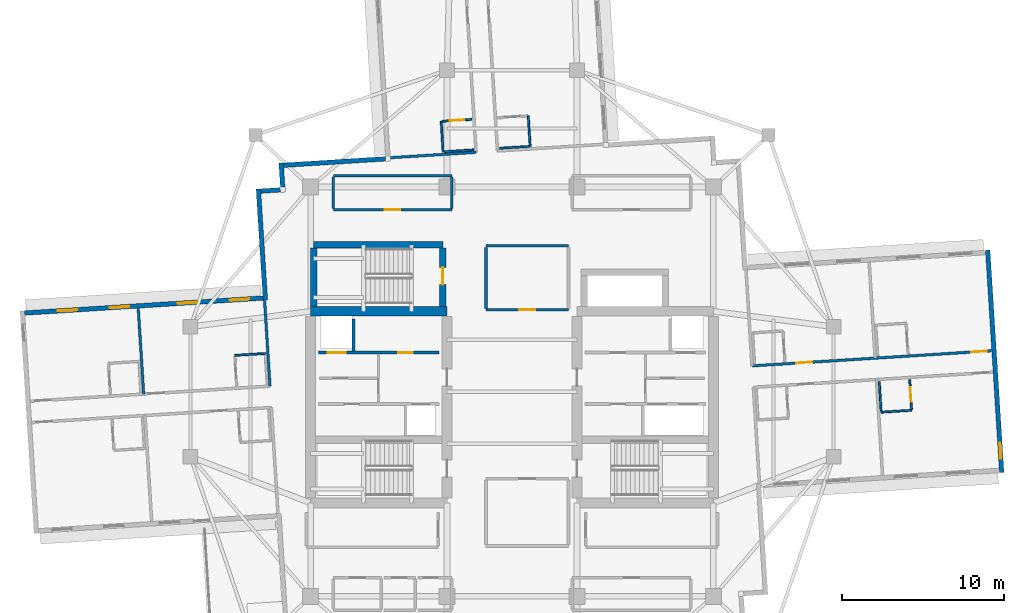
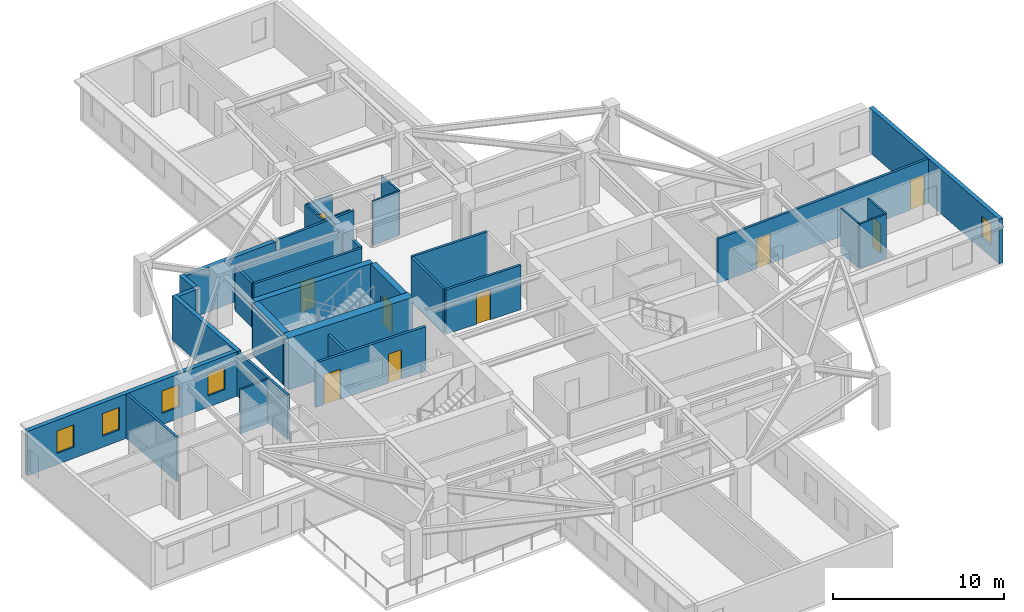
# One storey, part 6 of 12: 32 walls, 9 doors, 5 windows, 14 openings.
"""IFC4 building model written with IfcOpenShell, lengths in metres."""

from ifc_helpers import new_model, si_unit, direction, frame, frame_2d, origin, place, context, subcontext, project, spatial, rectangle, extrude, material, layer, layer_set, type_object, element, fill, save


model = new_model("IFC4")

# Units and contexts
model_context = context("Model", 3, precision=1e-05, world=origin(), true_north=direction((0.0, 1.0)))
body_context = subcontext(model_context, "Body", "Model", "MODEL_VIEW")
ifc_project = project(units=[si_unit("LENGTHUNIT", "METRE"), si_unit("AREAUNIT", "SQUARE_METRE"), si_unit("VOLUMEUNIT", "CUBIC_METRE"), si_unit("PLANEANGLEUNIT", "RADIAN"), si_unit("MASSUNIT", "GRAM", prefix="KILO")], contexts=[model_context])

# Site, building, storey
site_placement = place(None, origin())
site = spatial("IfcSite", under=ifc_project, at=site_placement, CompositionType="ELEMENT")
building_placement = place(site_placement, origin())
building = spatial("IfcBuilding", under=site, at=building_placement, Name="Qingluan Cross Belvedere", CompositionType="ELEMENT")
storey_placement = place(building_placement, frame((0.0, 0.0, 209.10009765625)))
storey = spatial("IfcBuildingStorey", under=building, at=storey_placement, Name="L52", CompositionType="ELEMENT", Elevation=209.10009765625)

# Walls
ifc_material_1 = material(Name="Concrete C50", Category="concrete")
ifc_layer_1 = layer(ifc_material_1, 0.449951171875, Name="CoreShearWall_450")
ifc_layer_set_1 = layer_set([ifc_layer_1], Name="Concrete C50")
wall_type_1 = type_object("IfcWallType", Name="CoreShearWall_450", PredefinedType="SHEAR", material=ifc_layer_set_1)
wall_1_placement = place(storey_placement, frame((-12.219970703125, 9.0400390625, 0.0), z_axis=(0.0, 0.0, 1.0), x_axis=(1.0, 0.0, 0.0)))
element("IfcWall", 1, at=wall_1_placement, inside=storey, type_object=wall_type_1, Name="Stair ST3 structural wall N L52", PredefinedType="SHEAR", context=body_context, shape_type="SweptSolid", body=[
    extrude(rectangle(XDim=7.9599609375, YDim=0.39990234375, at=frame_2d((3.97998046875, 0.0))), origin(), (0.0, 0.0, 1.0), 3.699951171875),
])
wall_2_placement = place(storey_placement, frame((-12.219970703125, 5.2548828125, 0.0), z_axis=(0.0, 0.0, 1.0), x_axis=(0.0, 1.0, 0.0)))
element("IfcWall", 2, at=wall_2_placement, inside=storey, type_object=wall_type_1, Name="Stair ST3 structural wall W L52", PredefinedType="SHEAR", context=body_context, shape_type="SweptSolid", body=[
    extrude(rectangle(XDim=3.580078125, YDim=0.39990234375, at=frame_2d((1.7900390625, 0.0))), origin(), (0.0, 0.0, 1.0), 3.699951171875),
])

# Wall, opening, door
wall_3_placement = place(storey_placement, frame((-4.260009765625, 5.2548828125, 0.0), z_axis=(0.0, 0.0, 1.0), x_axis=(0.0, 1.0, 0.0)))
wall_3 = element("IfcWall", 3, at=wall_3_placement, inside=storey, type_object=wall_type_1, Name="Stair ST3 structural wall E L52", PredefinedType="SHEAR", context=body_context, shape_type="SweptSolid", body=[
    extrude(rectangle(XDim=3.580078125, YDim=0.39990234375, at=frame_2d((1.7900390625, 0.0))), origin(), (0.0, 0.0, 1.0), 3.699951171875),
])
opening_1_placement = place(wall_3_placement, frame((1.344970703125, 0.0, 0.0)))
opening_1 = element("IfcOpeningElement", 4, at=opening_1_placement, cuts=wall_3, Name="Opening FD-B11", PredefinedType="OPENING", context=body_context, shape_type="SweptSolid", body=[
    extrude(rectangle(XDim=1.050048828125, YDim=2.14990234375, at=frame_2d((0.52490234375, 1.074951171875))), frame((0.0, 0.2099609375, 0.0), z_axis=(0.0, -1.0, 0.0), x_axis=(1.0, 0.0, 0.0)), (0.0, 0.0, 1.0), 0.419921875),
])
ifc_material_2 = material(Name="Steel Class B smoke-seal fire door", Category="steel")
door_type_1 = type_object("IfcDoorType", Name="StairLobbyFireDoor_FDB", OperationType="NOTDEFINED", PredefinedType="DOOR", material=ifc_material_2)
door_1_placement = place(opening_1_placement, origin())
door_1 = element("IfcDoor", 5, at=door_1_placement, inside=storey, type_object=door_type_1, Name="Smoke-proof stair ST3 fire door L52", OperationType="SINGLE_SWING_RIGHT", OverallHeight=2.14990234375, OverallWidth=1.050048828125, PredefinedType="DOOR", context=body_context, shape_type="SweptSolid", body=[
    extrude(rectangle(XDim=1.050048828125, YDim=2.14990234375, at=frame_2d((0.52490234375, 1.074951171875))), frame((0.0, 0.02490234375, 0.0), z_axis=(0.0, -1.0, 0.0), x_axis=(1.0, 0.0, 0.0)), (0.0, 0.0, 1.0), 0.050048828125),
])
fill(opening_1, door_1)

# Wall
ifc_material_3 = material(Name="Concrete C60", Category="concrete")
ifc_layer_2 = layer(ifc_material_3, 0.60009765625, Name="CoreShearWall_600")
ifc_layer_set_2 = layer_set([ifc_layer_2], Name="Concrete C60")
wall_type_2 = type_object("IfcWallType", Name="CoreShearWall_600", PredefinedType="SHEAR", material=ifc_layer_set_2)
wall_4_placement = place(storey_placement, frame((-12.39990234375, 4.949951171875, 0.0), z_axis=(0.0, 0.0, 1.0), x_axis=(1.0, 0.0, 0.0)))
element("IfcWall", 6, at=wall_4_placement, inside=storey, type_object=wall_type_2, Name="Split core W shear wall L52-N", PredefinedType="SHEAR", context=body_context, shape_type="SweptSolid", body=[
    extrude(rectangle(XDim=8.39990234375, YDim=0.60009765625, at=frame_2d((4.199951171875, 0.0))), origin(), (0.0, 0.0, 1.0), 3.699951171875),
])

# Wall, opening, door
ifc_material_4 = material(Name="Gypsum plasterboard on steel stud acoustic partition", Category="steel")
ifc_layer_3 = layer(ifc_material_4, 0.159912109375, Name="CorridorPartition_160")
ifc_layer_set_3 = layer_set([ifc_layer_3], Name="Gypsum plasterboard on steel stud acoustic partition")
wall_type_3 = type_object("IfcWallType", Name="CorridorPartition_160", PredefinedType="PARTITIONING", material=ifc_layer_set_3)
wall_5_placement = place(storey_placement, frame((-11.0, 11.199951171875, 0.0), z_axis=(0.0, 0.0, 1.0), x_axis=(1.0, 0.0, 0.0)))
wall_5 = element("IfcWall", 7, at=wall_5_placement, inside=storey, type_object=wall_type_3, Name="Partition L52:q_nw_occ:S", PredefinedType="PARTITIONING", context=body_context, shape_type="SweptSolid", body=[
    extrude(rectangle(XDim=7.300048828125, YDim=0.159912109375, at=frame_2d((3.64990234375, 0.0))), origin(), (0.0, 0.0, 1.0), 3.169921875),
])
opening_2_placement = place(wall_5_placement, frame((3.169921875, 0.0, 0.0)))
opening_2 = element("IfcOpeningElement", 8, at=opening_2_placement, cuts=wall_5, Name="Opening GD-10", PredefinedType="OPENING", context=body_context, shape_type="SweptSolid", body=[
    extrude(rectangle(XDim=0.9599609375, YDim=2.14990234375, at=frame_2d((0.47998046875, 1.074951171875))), frame((0.0, 0.08984375, 0.0), z_axis=(0.0, -1.0, 0.0), x_axis=(1.0, 0.0, 0.0)), (0.0, 0.0, 1.0), 0.179931640625),
])
ifc_material_5 = material(Name="Timber oak fire-rated acoustic guestroom door", Category="wood")
door_type_2 = type_object("IfcDoorType", Name="GuestEntryDoor_FD60", OperationType="NOTDEFINED", PredefinedType="DOOR", material=ifc_material_5)
door_2_placement = place(opening_2_placement, origin())
door_2 = element("IfcDoor", 9, at=door_2_placement, inside=storey, type_object=door_type_2, Name="Northwest sky reading salon L52 door", OperationType="SINGLE_SWING_RIGHT", OverallHeight=2.14990234375, OverallWidth=0.9599609375, PredefinedType="DOOR", context=body_context, shape_type="SweptSolid", body=[
    extrude(rectangle(XDim=0.9599609375, YDim=2.14990234375, at=frame_2d((0.47998046875, 1.074951171875))), frame((0.0, 0.02490234375, 0.0), z_axis=(0.0, -1.0, 0.0), x_axis=(1.0, 0.0, 0.0)), (0.0, 0.0, 1.0), 0.050048828125),
])
fill(opening_2, door_2)

# Walls
wall_6_placement = place(storey_placement, frame((-11.0, 13.300048828125, 0.0), z_axis=(0.0, 0.0, 1.0), x_axis=(1.0, 0.0, 0.0)))
element("IfcWall", 10, at=wall_6_placement, inside=storey, type_object=wall_type_3, Name="Partition L52:q_nw_occ:N", PredefinedType="PARTITIONING", context=body_context, shape_type="SweptSolid", body=[
    extrude(rectangle(XDim=7.300048828125, YDim=0.159912109375, at=frame_2d((3.64990234375, 0.0))), origin(), (0.0, 0.0, 1.0), 3.169921875),
])
for number, where, z_axis, x_axis, name in (
    (11, (-11.0, 11.284912109375, 0.0), (0.0, 0.0, 1.0), (0.0, 1.0, 0.0), "Partition L52:q_nw_occ:W"),
    (12, (-3.699951171875, 11.284912109375, 0.0), (0.0, 0.0, 1.0), (0.0, 1.0, 0.0), "Partition L52:q_nw_occ:E"),
):
    element("IfcWall", number, at=place(storey_placement, frame(where, z_axis=z_axis, x_axis=x_axis)), inside=storey, type_object=wall_type_3, Name=name, PredefinedType="PARTITIONING", context=body_context, shape_type="SweptSolid", body=[
        extrude(rectangle(XDim=1.93017578125, YDim=0.159912109375, at=frame_2d((0.965087890625, 0.0))), origin(), (0.0, 0.0, 1.0), 3.169921875),
    ])

# Wall, opening, door
wall_7_placement = place(storey_placement, frame((-1.60009765625, 5.050048828125, 0.0), z_axis=(0.0, 0.0, 1.0), x_axis=(1.0, 0.0, 0.0)))
wall_7 = element("IfcWall", 13, at=wall_7_placement, inside=storey, type_object=wall_type_3, Name="Partition L52:sky_tea_alcove:S", PredefinedType="PARTITIONING", context=body_context, shape_type="SweptSolid", body=[
    extrude(rectangle(XDim=5.080078125, YDim=0.159912109375, at=frame_2d((2.5400390625, 0.0))), origin(), (0.0, 0.0, 1.0), 3.169921875),
])
opening_3_placement = place(wall_7_placement, frame((2.06005859375, 0.0, 0.0)))
opening_3 = element("IfcOpeningElement", 14, at=opening_3_placement, cuts=wall_7, Name="Opening GD-10", PredefinedType="OPENING", context=body_context, shape_type="SweptSolid", body=[
    extrude(rectangle(XDim=0.9599609375, YDim=2.14990234375, at=frame_2d((0.47998046875, 1.074951171875))), frame((0.0, 0.08984375, 0.0), z_axis=(0.0, -1.0, 0.0), x_axis=(1.0, 0.0, 0.0)), (0.0, 0.0, 1.0), 0.179931640625),
])
door_3_placement = place(opening_3_placement, origin())
door_3 = element("IfcDoor", 15, at=door_3_placement, inside=storey, type_object=door_type_2, Name="Sky horizon tea salon L52 door", OperationType="SINGLE_SWING_RIGHT", OverallHeight=2.14990234375, OverallWidth=0.9599609375, PredefinedType="DOOR", context=body_context, shape_type="SweptSolid", body=[
    extrude(rectangle(XDim=0.9599609375, YDim=2.14990234375, at=frame_2d((0.47998046875, 1.074951171875))), frame((0.0, 0.02490234375, 0.0), z_axis=(0.0, -1.0, 0.0), x_axis=(1.0, 0.0, 0.0)), (0.0, 0.0, 1.0), 0.050048828125),
])
fill(opening_3, door_3)

# Walls
wall_8_placement = place(storey_placement, frame((-1.60009765625, 8.97998046875, 0.0), z_axis=(0.0, 0.0, 1.0), x_axis=(1.0, 0.0, 0.0)))
element("IfcWall", 16, at=wall_8_placement, inside=storey, type_object=wall_type_3, Name="Partition L52:sky_tea_alcove:N", PredefinedType="PARTITIONING", context=body_context, shape_type="SweptSolid", body=[
    extrude(rectangle(XDim=5.080078125, YDim=0.159912109375, at=frame_2d((2.5400390625, 0.0))), origin(), (0.0, 0.0, 1.0), 3.169921875),
])
wall_9_placement = place(storey_placement, frame((-1.60009765625, 5.135009765625, 0.0), z_axis=(0.0, 0.0, 1.0), x_axis=(0.0, 1.0, 0.0)))
element("IfcWall", 17, at=wall_9_placement, inside=storey, type_object=wall_type_3, Name="Partition L52:sky_tea_alcove:W", PredefinedType="PARTITIONING", context=body_context, shape_type="SweptSolid", body=[
    extrude(rectangle(XDim=3.760009765625, YDim=0.159912109375, at=frame_2d((1.8798828125, 0.0))), origin(), (0.0, 0.0, 1.0), 3.169921875),
])

# Wall, openings, doors
wall_10_placement = place(storey_placement, frame((14.779296875, 1.591064453125, 0.0), z_axis=(0.0, 0.0, 1.0), x_axis=(0.998026464074, 0.062794721174, 0.0)))
wall_10 = element("IfcWall", 18, at=wall_10_placement, inside=storey, type_object=wall_type_3, Name="Partition L52:E:c0", PredefinedType="PARTITIONING", context=body_context, shape_type="SweptSolid", body=[
    extrude(rectangle(XDim=14.78173828125, YDim=0.159912109375, at=frame_2d((7.390869140625, 0.0))), origin(), (0.0, 0.0, 1.0), 3.169921875),
])
opening_4_placement = place(wall_10_placement, frame((2.739990234375, 0.0, 0.0)))
opening_4 = element("IfcOpeningElement", 19, at=opening_4_placement, cuts=wall_10, Name="Opening GD-10", PredefinedType="OPENING", context=body_context, shape_type="SweptSolid", body=[
    extrude(rectangle(XDim=0.9599609375, YDim=2.14990234375, at=frame_2d((0.47998046875, 1.074951171875))), frame((0.0, 0.08984375, 0.0), z_axis=(0.0, -1.0, 0.0), x_axis=(1.0, 0.0, 0.0)), (0.0, 0.0, 1.0), 0.179931640625),
])
opening_5_placement = place(wall_10_placement, frame((13.530029296875, 0.0, 0.0)))
opening_5 = element("IfcOpeningElement", 20, at=opening_5_placement, cuts=wall_10, Name="Opening GD-10", PredefinedType="OPENING", context=body_context, shape_type="SweptSolid", body=[
    extrude(rectangle(XDim=0.9599609375, YDim=2.14990234375, at=frame_2d((0.47998046875, 1.074951171875))), frame((0.0, 0.08984375, 0.0), z_axis=(0.0, -1.0, 0.0), x_axis=(1.0, 0.0, 0.0)), (0.0, 0.0, 1.0), 0.179931640625),
])
door_4_placement = place(opening_4_placement, origin())
door_4 = element("IfcDoor", 21, at=door_4_placement, inside=storey, type_object=door_type_2, Name="Guest entry fire door 5201", OperationType="SINGLE_SWING_RIGHT", OverallHeight=2.14990234375, OverallWidth=0.9599609375, PredefinedType="DOOR", context=body_context, shape_type="SweptSolid", body=[
    extrude(rectangle(XDim=0.9599609375, YDim=2.14990234375, at=frame_2d((0.47998046875, 1.074951171875))), frame((0.0, 0.02490234375, 0.0), z_axis=(0.0, -1.0, 0.0), x_axis=(1.0, 0.0, 0.0)), (0.0, 0.0, 1.0), 0.050048828125),
])
fill(opening_4, door_4)
door_5_placement = place(opening_5_placement, origin())
door_5 = element("IfcDoor", 22, at=door_5_placement, inside=storey, type_object=door_type_2, Name="Guest entry fire door 5202", OperationType="SINGLE_SWING_RIGHT", OverallHeight=2.14990234375, OverallWidth=0.9599609375, PredefinedType="DOOR", context=body_context, shape_type="SweptSolid", body=[
    extrude(rectangle(XDim=0.9599609375, YDim=2.14990234375, at=frame_2d((0.47998046875, 1.074951171875))), frame((0.0, 0.02490234375, 0.0), z_axis=(0.0, -1.0, 0.0), x_axis=(1.0, 0.0, 0.0)), (0.0, 0.0, 1.0), 0.050048828125),
])
fill(opening_5, door_5)

# Walls
wall_11_placement = place(storey_placement, frame((-14.901123046875, 0.344970703125, 0.0), z_axis=(0.0, 0.0, 1.0), x_axis=(-0.062786112358, 0.998027005694, 0.0)))
element("IfcWall", 23, at=wall_11_placement, inside=storey, type_object=wall_type_3, Name="Partition L52:W:s0", PredefinedType="PARTITIONING", context=body_context, shape_type="SweptSolid", body=[
    extrude(rectangle(XDim=5.292236328125, YDim=0.159912109375, at=frame_2d((2.64599609375, 0.0))), origin(), (0.0, 0.0, 1.0), 3.169921875),
])
wall_12_placement = place(storey_placement, frame((-22.6787109375, -0.144287109375, 0.0), z_axis=(0.0, 0.0, 1.0), x_axis=(-0.062789003246, 0.998026823824, 0.0)))
element("IfcWall", 24, at=wall_12_placement, inside=storey, type_object=wall_type_3, Name="Partition L52:W:d0_0", PredefinedType="PARTITIONING", context=body_context, shape_type="SweptSolid", body=[
    extrude(rectangle(XDim=5.2919921875, YDim=0.159912109375, at=frame_2d((2.64599609375, 0.0))), origin(), (0.0, 0.0, 1.0), 3.169921875),
])
wall_13_placement = place(storey_placement, frame((-2.2099609375, 14.740234375, 0.0), z_axis=(0.0, 0.0, 1.0), x_axis=(-0.998026999455, -0.06278621154, 0.0)))
element("IfcWall", 25, at=wall_13_placement, inside=storey, type_object=wall_type_3, Name="Partition L52:N:s1", PredefinedType="PARTITIONING", context=body_context, shape_type="SweptSolid", body=[
    extrude(rectangle(XDim=5.43994140625, YDim=0.159912109375, at=frame_2d((2.719970703125, 0.0))), origin(), (0.0, 0.0, 1.0), 3.169921875),
])

# Wall, opening, door
ifc_material_6 = material(Name="Moisture-resistant gypsum board lining")
ifc_layer_4 = layer(ifc_material_6, 0.1201171875, Name="EnsuiteWetPartition_120")
ifc_layer_set_4 = layer_set([ifc_layer_4], Name="Moisture-resistant gypsum board lining")
wall_type_4 = type_object("IfcWallType", Name="EnsuiteWetPartition_120", PredefinedType="PARTITIONING", material=ifc_layer_set_4)
wall_14_placement = place(storey_placement, frame((24.602294921875, -1.077392578125, 0.0), z_axis=(0.0, 0.0, 1.0), x_axis=(-0.062912758763, 0.998019030272, 0.0)))
wall_14 = element("IfcWall", 26, at=wall_14_placement, inside=storey, type_object=wall_type_4, Name="Partition L52:E:bs1_1", PredefinedType="PARTITIONING", context=body_context, shape_type="SweptSolid", body=[
    extrude(rectangle(XDim=1.820068359375, YDim=0.1201171875, at=frame_2d((0.91015625, 0.0))), origin(), (0.0, 0.0, 1.0), 3.169921875),
])
opening_6_placement = place(wall_14_placement, frame((0.469970703125, 0.0, 0.0)))
opening_6 = element("IfcOpeningElement", 27, at=opening_6_placement, cuts=wall_14, Name="Opening BD-09", PredefinedType="OPENING", context=body_context, shape_type="SweptSolid", body=[
    extrude(rectangle(XDim=0.8798828125, YDim=2.10009765625, at=frame_2d((0.43994140625, 1.050048828125))), frame((0.0, 0.070068359375, 0.0), z_axis=(0.0, -1.0, 0.0), x_axis=(1.0, 0.0, 0.0)), (0.0, 0.0, 1.0), 0.14013671875),
])
ifc_material_7 = material(Name="Moisture-sealed timber en-suite door", Category="wood")
door_type_3 = type_object("IfcDoorType", Name="BathroomDoor_880", OperationType="NOTDEFINED", PredefinedType="DOOR", material=ifc_material_7)
door_6_placement = place(opening_6_placement, origin())
door_6 = element("IfcDoor", 28, at=door_6_placement, inside=storey, type_object=door_type_3, Name="Bathroom door 5204", OperationType="SINGLE_SWING_LEFT", OverallHeight=2.10009765625, OverallWidth=0.8798828125, PredefinedType="DOOR", context=body_context, shape_type="SweptSolid", body=[
    extrude(rectangle(XDim=0.8798828125, YDim=2.10009765625, at=frame_2d((0.43994140625, 1.050048828125))), frame((0.0, 0.02490234375, 0.0), z_axis=(0.0, -1.0, 0.0), x_axis=(1.0, 0.0, 0.0)), (0.0, 0.0, 1.0), 0.050048828125),
])
fill(opening_6, door_6)

# Walls
wall_15_placement = place(storey_placement, frame((22.725830078125, -1.1953125, 0.0), z_axis=(0.0, 0.0, 1.0), x_axis=(-0.062779145668, 0.998027443946, 0.0)))
element("IfcWall", 29, at=wall_15_placement, inside=storey, type_object=wall_type_4, Name="Partition L52:E:bw1_1", PredefinedType="PARTITIONING", context=body_context, shape_type="SweptSolid", body=[
    extrude(rectangle(XDim=1.820068359375, YDim=0.1201171875, at=frame_2d((0.91015625, 0.0))), origin(), (0.0, 0.0, 1.0), 3.169921875),
])
for number, where, z_axis, x_axis, name in (
    (30, (22.72998046875, -1.26025390625, 0.0), (0.0, 0.0, 1.0), (0.998022650819, 0.062855297722, 0.0), "Partition L52:E:bc1_1"),
    (31, (-15.18798828125, 2.35595703125, 0.0), (0.0, 0.0, 1.0), (-0.998022650819, -0.062855297722, 0.0), "Partition L52:W:bn0_0"),
):
    element("IfcWall", number, at=place(storey_placement, frame(where, z_axis=z_axis, x_axis=x_axis)), inside=storey, type_object=wall_type_4, Name=name, PredefinedType="PARTITIONING", context=body_context, shape_type="SweptSolid", body=[
        extrude(rectangle(XDim=1.8798828125, YDim=0.1201171875, at=frame_2d((0.93994140625, 0.0))), origin(), (0.0, 0.0, 1.0), 3.169921875),
    ])
wall_16_placement = place(storey_placement, frame((-0.7626953125, 14.99169921875, 0.0), z_axis=(0.0, 0.0, 1.0), x_axis=(0.998027443946, 0.062779145668, 0.0)))
element("IfcWall", 32, at=wall_16_placement, inside=storey, type_object=wall_type_4, Name="Partition L52:N:bw0_0", PredefinedType="PARTITIONING", context=body_context, shape_type="SweptSolid", body=[
    extrude(rectangle(XDim=1.820068359375, YDim=0.1201171875, at=frame_2d((0.91015625, 0.0))), origin(), (0.0, 0.0, 1.0), 3.169921875),
])
wall_17_placement = place(storey_placement, frame((1.118408203125, 15.110107421875, 0.0), z_axis=(0.0, 0.0, 1.0), x_axis=(-0.062725942896, 0.998030789148, 0.0)))
element("IfcWall", 33, at=wall_17_placement, inside=storey, type_object=wall_type_4, Name="Partition L52:N:bn0_0", PredefinedType="PARTITIONING", context=body_context, shape_type="SweptSolid", body=[
    extrude(rectangle(XDim=1.8798828125, YDim=0.1201171875, at=frame_2d((0.93994140625, 0.0))), origin(), (0.0, 0.0, 1.0), 3.169921875),
])

# Wall, opening, door
wall_18_placement = place(storey_placement, frame((-4.294189453125, 16.6533203125, 0.0), z_axis=(0.0, 0.0, 1.0), x_axis=(0.998027443946, 0.062779145668, 0.0)))
wall_18 = element("IfcWall", 34, at=wall_18_placement, inside=storey, type_object=wall_type_4, Name="Partition L52:N:bs1_0", PredefinedType="PARTITIONING", context=body_context, shape_type="SweptSolid", body=[
    extrude(rectangle(XDim=1.820068359375, YDim=0.1201171875, at=frame_2d((0.91015625, 0.0))), origin(), (0.0, 0.0, 1.0), 3.169921875),
])
opening_7_placement = place(wall_18_placement, frame((0.469970703125, 0.0, 0.0)))
opening_7 = element("IfcOpeningElement", 35, at=opening_7_placement, cuts=wall_18, Name="Opening BD-09", PredefinedType="OPENING", context=body_context, shape_type="SweptSolid", body=[
    extrude(rectangle(XDim=0.8798828125, YDim=2.10009765625, at=frame_2d((0.43994140625, 1.050048828125))), frame((0.0, 0.070068359375, 0.0), z_axis=(0.0, -1.0, 0.0), x_axis=(1.0, 0.0, 0.0)), (0.0, 0.0, 1.0), 0.14013671875),
])
door_7_placement = place(opening_7_placement, origin())
door_7 = element("IfcDoor", 36, at=door_7_placement, inside=storey, type_object=door_type_3, Name="Bathroom door 5211", OperationType="SINGLE_SWING_LEFT", OverallHeight=2.10009765625, OverallWidth=0.8798828125, PredefinedType="DOOR", context=body_context, shape_type="SweptSolid", body=[
    extrude(rectangle(XDim=0.8798828125, YDim=2.10009765625, at=frame_2d((0.43994140625, 1.050048828125))), frame((0.0, 0.02490234375, 0.0), z_axis=(0.0, -1.0, 0.0), x_axis=(1.0, 0.0, 0.0)), (0.0, 0.0, 1.0), 0.050048828125),
])
fill(opening_7, door_7)

# Walls
wall_19_placement = place(storey_placement, frame((-4.176025390625, 14.77685546875, 0.0), z_axis=(0.0, 0.0, 1.0), x_axis=(0.998027443946, 0.062779145668, 0.0)))
element("IfcWall", 37, at=wall_19_placement, inside=storey, type_object=wall_type_4, Name="Partition L52:N:bw1_0", PredefinedType="PARTITIONING", context=body_context, shape_type="SweptSolid", body=[
    extrude(rectangle(XDim=1.820068359375, YDim=0.1201171875, at=frame_2d((0.91015625, 0.0))), origin(), (0.0, 0.0, 1.0), 3.169921875),
])
wall_20_placement = place(storey_placement, frame((-4.240966796875, 14.77294921875, 0.0), z_axis=(0.0, 0.0, 1.0), x_axis=(-0.062725942896, 0.998030789148, 0.0)))
element("IfcWall", 38, at=wall_20_placement, inside=storey, type_object=wall_type_4, Name="Partition L52:N:bc1_0", PredefinedType="PARTITIONING", context=body_context, shape_type="SweptSolid", body=[
    extrude(rectangle(XDim=1.8798828125, YDim=0.1201171875, at=frame_2d((0.93994140625, 0.0))), origin(), (0.0, 0.0, 1.0), 3.169921875),
])

# Wall, opening, window
ifc_material_8 = material(Name="Precast concrete C45", Category="concrete")
ifc_layer_5 = layer(ifc_material_8, 0.280029296875, Name="PrecastFacadeWall_280")
ifc_layer_set_5 = layer_set([ifc_layer_5], Name="Precast concrete C45")
wall_type_5 = type_object("IfcWallType", Name="PrecastFacadeWall_280", PredefinedType="STANDARD", material=ifc_layer_set_5)
wall_21_placement = place(storey_placement, frame((30.152099609375, -4.9765625, 0.0), z_axis=(0.0, 0.0, 1.0), x_axis=(-0.062797041623, 0.998026318072, 0.0)))
wall_21 = element("IfcWall", 39, at=wall_21_placement, inside=storey, type_object=wall_type_5, Name="Arm tip precast facade wall L52-E", PredefinedType="STANDARD", context=body_context, shape_type="SweptSolid", body=[
    extrude(rectangle(XDim=13.719970703125, YDim=0.280029296875, at=frame_2d((6.85986328125, 0.0))), origin(), (0.0, 0.0, 1.0), 3.179931640625),
])
opening_8_placement = place(wall_21_placement, frame((0.85009765625, 0.0, 0.85009765625)))
opening_8 = element("IfcOpeningElement", 40, at=opening_8_placement, cuts=wall_21, Name="Opening W-03", PredefinedType="OPENING", context=body_context, shape_type="SweptSolid", body=[
    extrude(rectangle(XDim=1.0, YDim=1.5, at=frame_2d((0.5, 0.75))), frame((0.0, 0.14990234375, 0.0), z_axis=(0.0, -1.0, 0.0), x_axis=(1.0, 0.0, 0.0)), (0.0, 0.0, 1.0), 0.300048828125),
])
ifc_material_9 = material(Name="Thermally broken triple Low-E glass in aluminium frame", Category="aluminium")
window_type_1 = type_object("IfcWindowType", Name="TriApexWin_1000x1500", PartitioningType="SINGLE_PANEL", PredefinedType="WINDOW", material=ifc_material_9)
window_1_placement = place(opening_8_placement, origin())
window_1 = element("IfcWindow", 41, at=window_1_placement, inside=storey, type_object=window_type_1, Name="Arm tip triangular window L52-E", OverallHeight=1.5, OverallWidth=1.0, PartitioningType="SINGLE_PANEL", PredefinedType="WINDOW", context=body_context, shape_type="SweptSolid", body=[
    extrude(rectangle(XDim=1.0, YDim=1.5, at=frame_2d((0.5, 0.75))), frame((0.0, 0.030029296875, 0.0), z_axis=(0.0, -1.0, 0.0), x_axis=(1.0, 0.0, 0.0)), (0.0, 0.0, 1.0), 0.06005859375),
])
fill(opening_8, window_1)

# Wall, openings, windows
wall_22_placement = place(storey_placement, frame((-15.33251953125, 5.7685546875, 0.0), z_axis=(0.0, 0.0, 1.0), x_axis=(-0.998027423805, -0.062779465852, 0.0)))
wall_22 = element("IfcWall", 42, at=wall_22_placement, inside=storey, type_object=wall_type_5, Name="Facade wall L52-WA", PredefinedType="STANDARD", context=body_context, shape_type="SweptSolid", body=[
    extrude(rectangle(XDim=14.699951171875, YDim=0.280029296875, at=frame_2d((7.35009765625, 0.0))), origin(), (0.0, 0.0, 1.0), 3.179931640625),
])
opening_9_placement = place(wall_22_placement, frame((0.85009765625, 0.0, 0.800048828125)))
opening_9 = element("IfcOpeningElement", 43, at=opening_9_placement, cuts=wall_22, Name="Opening W-02", PredefinedType="OPENING", context=body_context, shape_type="SweptSolid", body=[
    extrude(rectangle(XDim=1.199951171875, YDim=1.60009765625, at=frame_2d((0.60009765625, 0.800048828125))), frame((0.0, 0.14990234375, 0.0), z_axis=(0.0, -1.0, 0.0), x_axis=(1.0, 0.0, 0.0)), (0.0, 0.0, 1.0), 0.300048828125),
])
opening_10_placement = place(wall_22_placement, frame((4.050048828125, 0.0, 0.800048828125)))
opening_10 = element("IfcOpeningElement", 44, at=opening_10_placement, cuts=wall_22, Name="Opening W-02", PredefinedType="OPENING", context=body_context, shape_type="SweptSolid", body=[
    extrude(rectangle(XDim=1.199951171875, YDim=1.60009765625, at=frame_2d((0.60009765625, 0.800048828125))), frame((0.0, 0.14990234375, 0.0), z_axis=(0.0, -1.0, 0.0), x_axis=(1.0, 0.0, 0.0)), (0.0, 0.0, 1.0), 0.300048828125),
])
opening_11_placement = place(wall_22_placement, frame((8.25, 0.0, 0.800048828125)))
opening_11 = element("IfcOpeningElement", 45, at=opening_11_placement, cuts=wall_22, Name="Opening W-02", PredefinedType="OPENING", context=body_context, shape_type="SweptSolid", body=[
    extrude(rectangle(XDim=1.199951171875, YDim=1.60009765625, at=frame_2d((0.60009765625, 0.800048828125))), frame((0.0, 0.14990234375, 0.0), z_axis=(0.0, -1.0, 0.0), x_axis=(1.0, 0.0, 0.0)), (0.0, 0.0, 1.0), 0.300048828125),
])
opening_12_placement = place(wall_22_placement, frame((11.449951171875, 0.0, 0.800048828125)))
opening_12 = element("IfcOpeningElement", 46, at=opening_12_placement, cuts=wall_22, Name="Opening W-02", PredefinedType="OPENING", context=body_context, shape_type="SweptSolid", body=[
    extrude(rectangle(XDim=1.199951171875, YDim=1.60009765625, at=frame_2d((0.60009765625, 0.800048828125))), frame((0.0, 0.14990234375, 0.0), z_axis=(0.0, -1.0, 0.0), x_axis=(1.0, 0.0, 0.0)), (0.0, 0.0, 1.0), 0.300048828125),
])
ifc_material_10 = material(Name="Thermally broken triple Low-E glass in aluminium frame", Category="aluminium")
window_type_2 = type_object("IfcWindowType", Name="TriRibbonWin_1200x1600", PartitioningType="SINGLE_PANEL", PredefinedType="WINDOW", material=ifc_material_10)
window_2_placement = place(opening_9_placement, origin())
window_2 = element("IfcWindow", 47, at=window_2_placement, inside=storey, type_object=window_type_2, Name="Ribbon window L52-WA-1", OverallHeight=1.60009765625, OverallWidth=1.199951171875, PartitioningType="SINGLE_PANEL", PredefinedType="WINDOW", context=body_context, shape_type="SweptSolid", body=[
    extrude(rectangle(XDim=1.199951171875, YDim=1.60009765625, at=frame_2d((0.60009765625, 0.800048828125))), frame((0.0, 0.030029296875, 0.0), z_axis=(0.0, -1.0, 0.0), x_axis=(1.0, 0.0, 0.0)), (0.0, 0.0, 1.0), 0.06005859375),
])
fill(opening_9, window_2)
window_3_placement = place(opening_10_placement, origin())
window_3 = element("IfcWindow", 48, at=window_3_placement, inside=storey, type_object=window_type_2, Name="Ribbon window L52-WA-2", OverallHeight=1.60009765625, OverallWidth=1.199951171875, PartitioningType="SINGLE_PANEL", PredefinedType="WINDOW", context=body_context, shape_type="SweptSolid", body=[
    extrude(rectangle(XDim=1.199951171875, YDim=1.60009765625, at=frame_2d((0.60009765625, 0.800048828125))), frame((0.0, 0.030029296875, 0.0), z_axis=(0.0, -1.0, 0.0), x_axis=(1.0, 0.0, 0.0)), (0.0, 0.0, 1.0), 0.06005859375),
])
fill(opening_10, window_3)
window_4_placement = place(opening_11_placement, origin())
window_4 = element("IfcWindow", 49, at=window_4_placement, inside=storey, type_object=window_type_2, Name="Ribbon window L52-WA-3", OverallHeight=1.60009765625, OverallWidth=1.199951171875, PartitioningType="SINGLE_PANEL", PredefinedType="WINDOW", context=body_context, shape_type="SweptSolid", body=[
    extrude(rectangle(XDim=1.199951171875, YDim=1.60009765625, at=frame_2d((0.60009765625, 0.800048828125))), frame((0.0, 0.030029296875, 0.0), z_axis=(0.0, -1.0, 0.0), x_axis=(1.0, 0.0, 0.0)), (0.0, 0.0, 1.0), 0.06005859375),
])
fill(opening_11, window_4)
window_5_placement = place(opening_12_placement, origin())
window_5 = element("IfcWindow", 50, at=window_5_placement, inside=storey, type_object=window_type_2, Name="Ribbon window L52-WA-4", OverallHeight=1.60009765625, OverallWidth=1.199951171875, PartitioningType="SINGLE_PANEL", PredefinedType="WINDOW", context=body_context, shape_type="SweptSolid", body=[
    extrude(rectangle(XDim=1.199951171875, YDim=1.60009765625, at=frame_2d((0.60009765625, 0.800048828125))), frame((0.0, 0.030029296875, 0.0), z_axis=(0.0, -1.0, 0.0), x_axis=(1.0, 0.0, 0.0)), (0.0, 0.0, 1.0), 0.06005859375),
])
fill(opening_12, window_5)

# Walls
wall_23_placement = place(storey_placement, frame((-15.18408203125, 5.6376953125, 0.0), z_axis=(0.0, 0.0, 1.0), x_axis=(-0.062779317195, 0.998027433156, 0.0)))
element("IfcWall", 51, at=wall_23_placement, inside=storey, type_object=wall_type_5, Name="Corner wall L52-NW1", PredefinedType="STANDARD", context=body_context, shape_type="SweptSolid", body=[
    extrude(rectangle(XDim=6.85986328125, YDim=0.280029296875, at=frame_2d((3.429931640625, 0.0))), origin(), (0.0, 0.0, 1.0), 3.179931640625),
])
wall_24_placement = place(storey_placement, frame((-15.46630859375, 12.353271484375, 0.0), z_axis=(0.0, 0.0, 1.0), x_axis=(0.998024450254, 0.062826719603, 0.0)))
element("IfcWall", 52, at=wall_24_placement, inside=storey, type_object=wall_type_5, Name="Corner wall L52-NW2", PredefinedType="STANDARD", context=body_context, shape_type="SweptSolid", body=[
    extrude(rectangle(XDim=1.22021484375, YDim=0.280029296875, at=frame_2d((0.610107421875, 0.0))), origin(), (0.0, 0.0, 1.0), 3.179931640625),
])
wall_25_placement = place(storey_placement, frame((-14.11767578125, 12.578369140625, 0.0), z_axis=(0.0, 0.0, 1.0), x_axis=(-0.062824119533, 0.998024613927, 0.0)))
element("IfcWall", 53, at=wall_25_placement, inside=storey, type_object=wall_type_5, Name="Corner wall L52-NW3", PredefinedType="STANDARD", context=body_context, shape_type="SweptSolid", body=[
    extrude(rectangle(XDim=1.5, YDim=0.280029296875, at=frame_2d((0.75, 0.0))), origin(), (0.0, 0.0, 1.0), 3.179931640625),
])
wall_26_placement = place(storey_placement, frame((-14.063232421875, 13.944580078125, 0.0), z_axis=(0.0, 0.0, 1.0), x_axis=(0.998027314704, 0.062781200242, 0.0)))
element("IfcWall", 54, at=wall_26_placement, inside=storey, type_object=wall_type_5, Name="Corner wall L52-NW4", PredefinedType="STANDARD", context=body_context, shape_type="SweptSolid", body=[
    extrude(rectangle(XDim=6.2998046875, YDim=0.280029296875, at=frame_2d((3.14990234375, 0.0))), origin(), (0.0, 0.0, 1.0), 3.179931640625),
])

# Wall, openings, doors
ifc_material_11 = material(Name="Concrete C40", Category="concrete")
ifc_layer_6 = layer(ifc_material_11, 0.219970703125, Name="ShaftEnclosureWall_250")
ifc_layer_set_6 = layer_set([ifc_layer_6], Name="Concrete C40")
wall_type_6 = type_object("IfcWallType", Name="ShaftEnclosureWall_250", PredefinedType="SOLIDWALL", material=ifc_layer_set_6)
wall_27_placement = place(storey_placement, frame((-11.89990234375, 2.409912109375, 0.0), z_axis=(0.0, 0.0, 1.0), x_axis=(1.0, 0.0, 0.0)))
wall_27 = element("IfcWall", 55, at=wall_27_placement, inside=storey, type_object=wall_type_6, Name="Core-W north hoistway wall L52", PredefinedType="SOLIDWALL", context=body_context, shape_type="SweptSolid", body=[
    extrude(rectangle(XDim=7.419921875, YDim=0.179931640625, at=frame_2d((3.7099609375, 0.0))), origin(), (0.0, 0.0, 1.0), 3.169921875),
])
opening_13_placement = place(wall_27_placement, frame((0.550048828125, 0.0, 0.0)))
opening_13 = element("IfcOpeningElement", 56, at=opening_13_placement, cuts=wall_27, Name="Opening LD-11", PredefinedType="OPENING", context=body_context, shape_type="SweptSolid", body=[
    extrude(rectangle(XDim=1.10009765625, YDim=2.14990234375, at=frame_2d((0.550048828125, 1.074951171875))), frame((0.0, 0.099853515625, 0.0), z_axis=(0.0, -1.0, 0.0), x_axis=(1.0, 0.0, 0.0)), (0.0, 0.0, 1.0), 0.199951171875),
])
opening_14_placement = place(wall_27_placement, frame((4.89990234375, 0.0, 0.0)))
opening_14 = element("IfcOpeningElement", 57, at=opening_14_placement, cuts=wall_27, Name="Opening FD-B10", PredefinedType="OPENING", context=body_context, shape_type="SweptSolid", body=[
    extrude(rectangle(XDim=0.8798828125, YDim=2.10009765625, at=frame_2d((0.43994140625, 1.050048828125))), frame((0.0, 0.099853515625, 0.0), z_axis=(0.0, -1.0, 0.0), x_axis=(1.0, 0.0, 0.0)), (0.0, 0.0, 1.0), 0.199951171875),
])
ifc_material_12 = material(Name="Brushed stainless steel centre-opening lift landing door", Category="steel")
door_type_4 = type_object("IfcDoorType", Name="LiftLandingSlidingDoor_1100", OperationType="DOUBLE_DOOR_SLIDING", PredefinedType="DOOR", material=ifc_material_12)
door_8_placement = place(opening_13_placement, origin())
door_8 = element("IfcDoor", 58, at=door_8_placement, inside=storey, type_object=door_type_4, Name="Lift landing sliding door FL1 L52", OperationType="DOUBLE_DOOR_SLIDING", OverallHeight=2.14990234375, OverallWidth=1.10009765625, PredefinedType="DOOR", context=body_context, shape_type="SweptSolid", body=[
    extrude(rectangle(XDim=1.10009765625, YDim=2.14990234375, at=frame_2d((0.550048828125, 1.074951171875))), frame((0.0, 0.02490234375, 0.0), z_axis=(0.0, -1.0, 0.0), x_axis=(1.0, 0.0, 0.0)), (0.0, 0.0, 1.0), 0.050048828125),
])
fill(opening_13, door_8)
ifc_material_13 = material(Name="Steel Class B service fire door", Category="steel")
door_type_5 = type_object("IfcDoorType", Name="RiserServiceFireDoor_FDB", OperationType="NOTDEFINED", PredefinedType="DOOR", material=ifc_material_13)
door_9_placement = place(opening_14_placement, origin())
door_9 = element("IfcDoor", 59, at=door_9_placement, inside=storey, type_object=door_type_5, Name="Housekeeping supply room door W L52", OperationType="SINGLE_SWING_LEFT", OverallHeight=2.10009765625, OverallWidth=0.8798828125, PredefinedType="DOOR", context=body_context, shape_type="SweptSolid", body=[
    extrude(rectangle(XDim=0.8798828125, YDim=2.10009765625, at=frame_2d((0.43994140625, 1.050048828125))), frame((0.0, 0.02490234375, 0.0), z_axis=(0.0, -1.0, 0.0), x_axis=(1.0, 0.0, 0.0)), (0.0, 0.0, 1.0), 0.050048828125),
])
fill(opening_14, door_9)

# Wall
wall_28_placement = place(storey_placement, frame((-9.760009765625, 2.5, 0.0), z_axis=(0.0, 0.0, 1.0), x_axis=(0.0, 1.0, 0.0)))
element("IfcWall", 60, at=wall_28_placement, inside=storey, type_object=wall_type_6, Name="Hoistway enclosure divider FL1E L52", PredefinedType="SOLIDWALL", context=body_context, shape_type="SweptSolid", body=[
    extrude(rectangle(XDim=1.989990234375, YDim=0.179931640625, at=frame_2d((0.9951171875, 0.0))), origin(), (0.0, 0.0, 1.0), 3.169921875),
])

save(model, "model.ifc")
